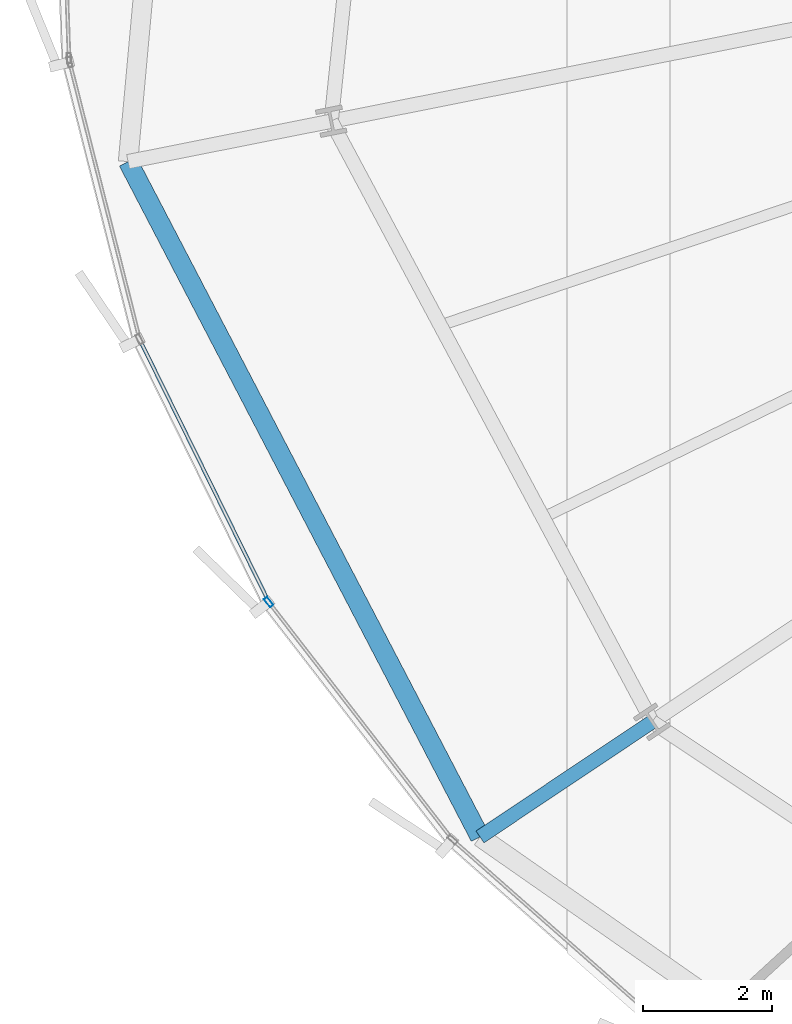
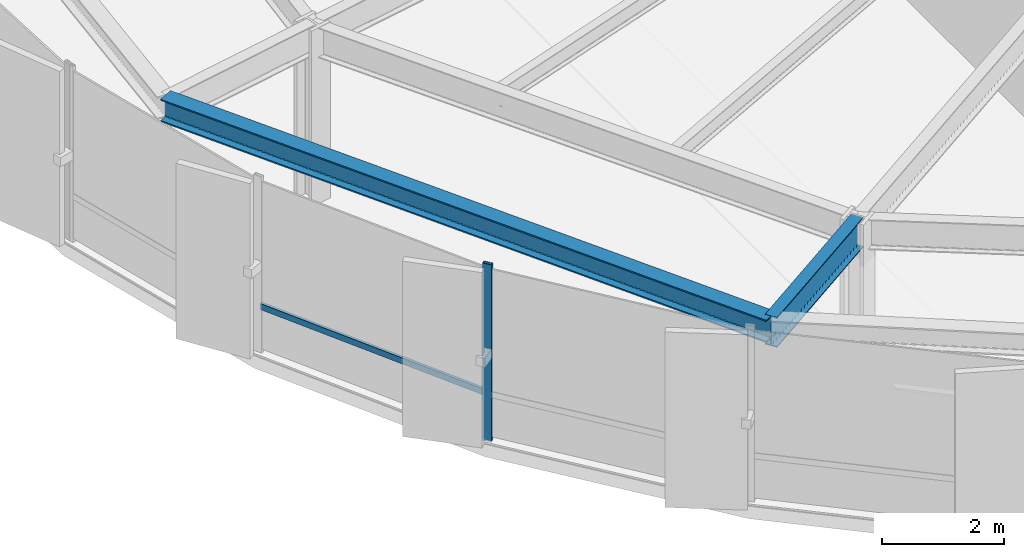
# One storey, part 3 of 38: 2 beams, 2 members, 1 element without a shape of its own.
"""IFC4 building model written with IfcOpenShell, lengths in metres."""

from ifc_helpers import new_model, si_unit, direction, frame, origin, origin_2d, place, context, subcontext, project, spatial, hollow_rectangle, i_section, extrude, source, transform, mapped, material, layer, layer_set, material_profile, profile_set, type_object, element, aggregate, save


model = new_model("IFC4")

# Units and contexts
model_context = context("Model", 3, precision=1e-05, world=origin(), true_north=direction((0.0, 1.0)))
body_context = subcontext(model_context, "Body", "Model", "MODEL_VIEW")
ifc_project = project(units=[si_unit("LENGTHUNIT", "METRE"), si_unit("AREAUNIT", "SQUARE_METRE"), si_unit("VOLUMEUNIT", "CUBIC_METRE"), si_unit("PLANEANGLEUNIT", "RADIAN"), si_unit("MASSUNIT", "GRAM", prefix="KILO"), si_unit("THERMODYNAMICTEMPERATUREUNIT", "KELVIN")], contexts=[model_context])

# Site, building, storey
site_placement = place(None, origin())
site = spatial("IfcSite", under=ifc_project, at=site_placement, CompositionType="ELEMENT")
building_placement = place(site_placement, origin())
building = spatial("IfcBuilding", under=site, at=building_placement, Name="Kethvar Cultural Tower", CompositionType="ELEMENT")
storey_placement = place(building_placement, frame((0.0, 0.0, 63.800048828125)))
storey = spatial("IfcBuildingStorey", under=building, at=storey_placement, Name="L15", CompositionType="ELEMENT", Elevation=63.800048828125)

# Beams
ifc_material_1 = material(Name="Steel S355J2", Category="steel")
ifc_material_profile_1 = material_profile(ifc_material_1, i_section(OverallWidth=0.219970703125, OverallDepth=0.60009765625, WebThickness=0.011962890625, FlangeThickness=0.01904296875, FilletRadius=0.02392578125, at=origin_2d()), Name="Steel S355J2 — IPE600")
ifc_profile_set_1 = profile_set([ifc_material_profile_1], Name="Steel S355J2 — IPE600")
beam_type_1 = type_object("IfcBeamType", Name="BM-IPE600", PredefinedType="BEAM", material=ifc_profile_set_1)
shared_shape_1 = source(origin(), body_context, "Body", "SweptSolid", [
    extrude(i_section(OverallWidth=0.219970703125, OverallDepth=0.60009765625, WebThickness=0.011962890625, FlangeThickness=0.01904296875, FilletRadius=0.02392578125, at=origin_2d()), origin(), (0.0, 0.0, 1.0), 3.2001953125),
])
beam_1_placement = place(storey_placement, frame((24.9248046875, 13.183349609375, 3.248046875), z_axis=(-0.831486491686, -0.555544970406, 0.0), x_axis=(0.555544970406, -0.831486491686, 0.0)))
element("IfcBeam", 1, at=beam_1_placement, inside=storey, type_object=beam_type_1, Name="L15 Perimeter Cantilever Beam RC-10", PredefinedType="BEAM", context=body_context, shape_type="MappedRepresentation", body=[
    mapped(shared_shape_1, transform((0.0, 0.0, 0.0), scale=1.0)),
])
ifc_material_profile_2 = material_profile(ifc_material_1, i_section(OverallWidth=0.300048828125, OverallDepth=0.449951171875, WebThickness=0.013916015625, FlangeThickness=0.02587890625, FilletRadius=0.027099609375, at=origin_2d()), Name="Steel S355J2 — HEB450")
ifc_profile_set_2 = profile_set([ifc_material_profile_2], Name="Steel S355J2 — HEB450")
beam_type_2 = type_object("IfcBeamType", Name="BM-SP450", PredefinedType="SPANDREL", material=ifc_profile_set_2)
shared_shape_2 = source(origin(), body_context, "Body", "SweptSolid", [
    extrude(i_section(OverallWidth=0.300048828125, OverallDepth=0.449951171875, WebThickness=0.013916015625, FlangeThickness=0.02587890625, FilletRadius=0.027099609375, at=origin_2d()), origin(), (0.0, 0.0, 1.0), 11.76416015625),
])
beam_2_placement = place(storey_placement, frame((16.827392578125, 21.838134765625, 3.322998046875), z_axis=(0.462126222064, -0.886814160285, 0.0), x_axis=(0.886814160285, 0.462126222064, 0.0)))
element("IfcBeam", 2, at=beam_2_placement, inside=storey, type_object=beam_type_2, Name="L15 Perimeter Spandrel Beam SP-09", PredefinedType="SPANDREL", context=body_context, shape_type="MappedRepresentation", body=[
    mapped(shared_shape_2, transform((0.0, 0.0, 0.0), scale=1.0)),
])

# Curtain wall, members
ifc_material_2 = material(Name="Aluminium 6063-T6", Category="aluminium")
ifc_layer = layer(ifc_material_2, 0.179931640625, Name="Aluminium 6063-T6", Category="aluminium")
ifc_layer_set = layer_set([ifc_layer], Name="Aluminium 6063-T6 (180 mm)")
curtain_wall_type = type_object("IfcCurtainWallType", Name="CW-SYS-02-Z1", PredefinedType="NOTDEFINED", material=ifc_layer_set)
curtain_wall_placement = place(storey_placement, origin())
curtain_wall = element("IfcCurtainWall", 3, at=curtain_wall_placement, inside=storey, type_object=curtain_wall_type, Name="L15 Curtain Wall Run 04", PredefinedType="NOTDEFINED")
ifc_material_profile_3 = material_profile(ifc_material_2, hollow_rectangle(XDim=0.06494140625, YDim=0.159912109375, WallThickness=0.0048828125, at=origin_2d()), Name="Aluminium 6063-T6 — RHS160x65x5")
ifc_profile_set_3 = profile_set([ifc_material_profile_3], Name="Aluminium 6063-T6 — RHS160x65x5")
member_type_1 = type_object("IfcMemberType", Name="CW-SYS-02-Z1-MUL", PredefinedType="MULLION", material=ifc_profile_set_3)
shared_shape_3 = source(origin(), body_context, "Body", "SweptSolid", [
    extrude(hollow_rectangle(XDim=0.06494140625, YDim=0.159912109375, WallThickness=0.0048828125, at=origin_2d()), origin(), (0.0, 0.0, 1.0), 3.550048828125),
])
member_1_placement = place(storey_placement, frame((18.999267578125, 15.034912109375, 0.0), z_axis=(0.0, 0.0, 1.0), x_axis=(0.790881868453, 0.611968847371, 0.0)))
member_1 = element("IfcMember", 4, at=member_1_placement, type_object=member_type_1, Name="CW-L15-R04 Mullion 3", PredefinedType="MULLION", context=body_context, shape_type="MappedRepresentation", body=[
    mapped(shared_shape_3, transform((0.0, 0.0, 0.0), scale=1.0)),
])
ifc_material_profile_4 = material_profile(ifc_material_2, hollow_rectangle(XDim=0.054931640625, YDim=0.1201171875, WallThickness=0.00390625, at=origin_2d()), Name="Aluminium 6063-T6 — RHS120x55x4")
ifc_profile_set_4 = profile_set([ifc_material_profile_4], Name="Aluminium 6063-T6 — RHS120x55x4")
member_type_2 = type_object("IfcMemberType", Name="CW-SYS-02-Z1-TRN", PredefinedType="USERDEFINED", material=ifc_profile_set_4)
shared_shape_4 = source(origin(), body_context, "Body", "SweptSolid", [
    extrude(hollow_rectangle(XDim=0.054931640625, YDim=0.1201171875, WallThickness=0.00390625, at=origin_2d()), origin(), (0.0, 0.0, 1.0), 4.453857421875),
])
member_2_placement = place(storey_placement, frame((17.02490234375, 19.052490234375, 0.949951171875), z_axis=(0.441547579048, -0.897237836606, 0.0), x_axis=(0.897237836606, 0.441547579048, 0.0)))
member_2 = element("IfcMember", 5, at=member_2_placement, type_object=member_type_2, Name="CW-L15-R04 Transom 2", ObjectType="TRANSOM", PredefinedType="USERDEFINED", context=body_context, shape_type="MappedRepresentation", body=[
    mapped(shared_shape_4, transform((0.0, 0.0, 0.0), scale=1.0)),
])
aggregate(curtain_wall, [member_1, member_2])

save(model, "model.ifc")
